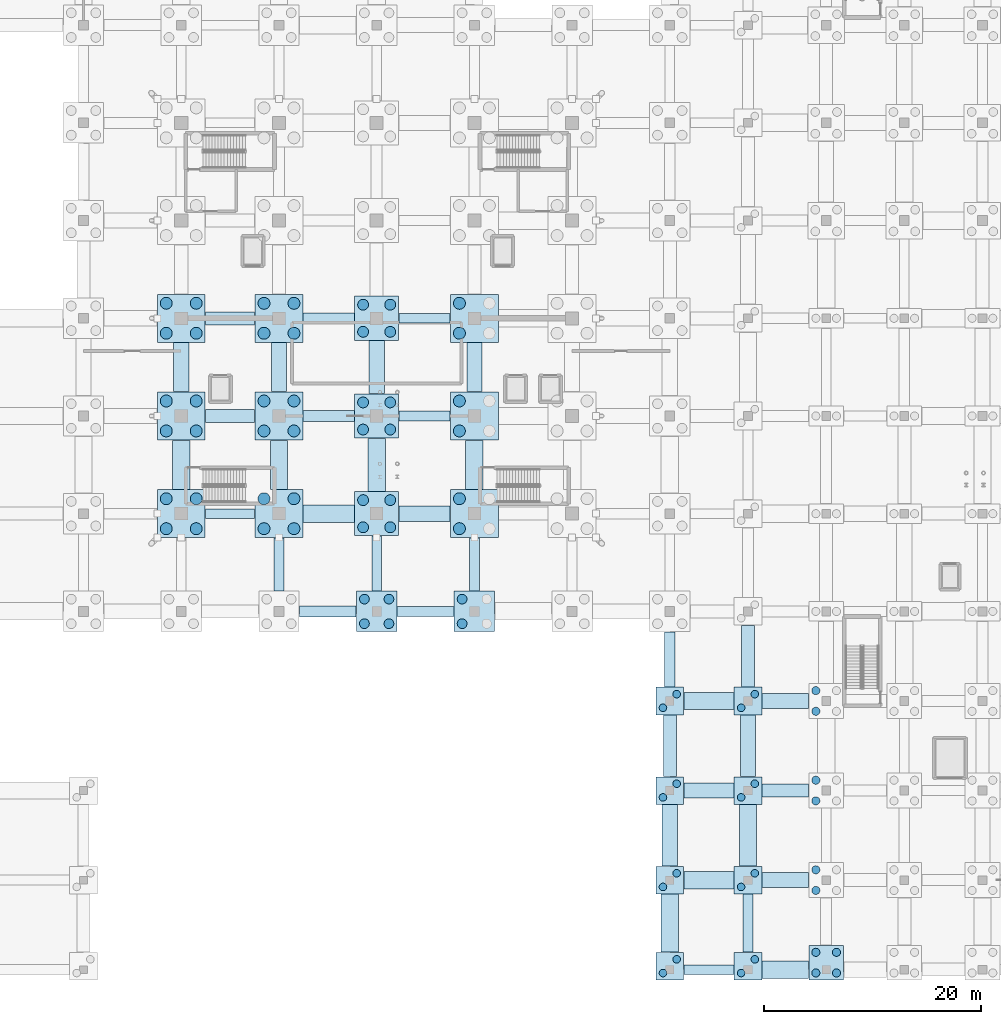
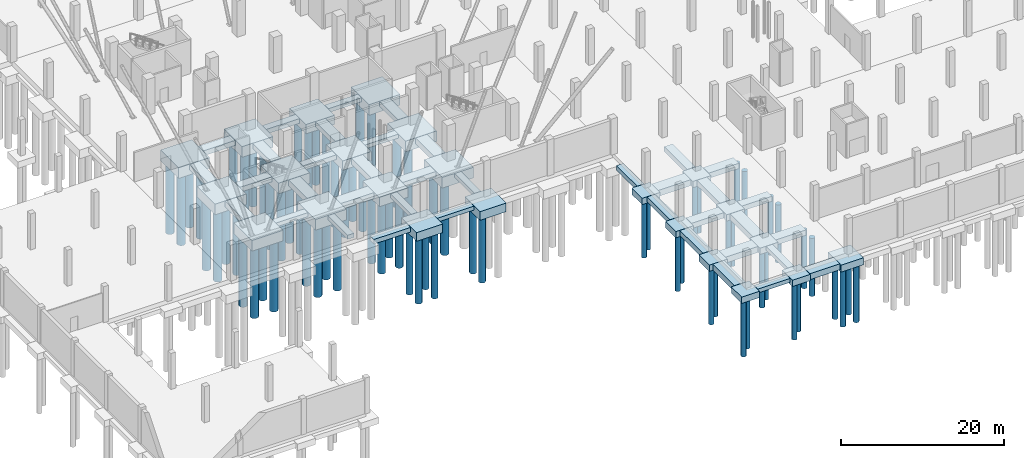
# One storey, part 2 of 42: 74 piles, 61 footings.
"""IFC4 building model written with IfcOpenShell, lengths in metres."""

from ifc_helpers import new_model, si_unit, direction, frame, origin, origin_2d, place, context, subcontext, project, spatial, rectangle, circle, extrude, material, material_profile, profile_set, type_object, element, save


model = new_model("IFC4")

# Units and contexts
model_context = context("Model", 3, precision=1e-05, world=origin(), true_north=direction((0.0, 1.0)))
body_context = subcontext(model_context, "Body", "Model", "MODEL_VIEW")
ifc_project = project(units=[si_unit("LENGTHUNIT", "METRE"), si_unit("AREAUNIT", "SQUARE_METRE"), si_unit("VOLUMEUNIT", "CUBIC_METRE"), si_unit("PLANEANGLEUNIT", "RADIAN"), si_unit("MASSUNIT", "GRAM", prefix="KILO")], contexts=[model_context])

# Site, building, storey
site_placement = place(None, origin())
site = spatial("IfcSite", under=ifc_project, at=site_placement, CompositionType="ELEMENT")
building_placement = place(site_placement, origin())
building = spatial("IfcBuilding", under=site, at=building_placement, Name="Sundgate Opera House", CompositionType="ELEMENT")
storey_placement = place(building_placement, frame((0.0, 0.0, -5.39990234375)))
storey = spatial("IfcBuildingStorey", under=building, at=storey_placement, Name="B01", CompositionType="ELEMENT", Elevation=-5.39990234375)

# Footings
ifc_material_1 = material(Name="Concrete C40/50", Category="concrete")
footing_type_1 = type_object("IfcFootingType", Name="FT-PC-2540x2540x950", PredefinedType="PILE_CAP", material=ifc_material_1)
for number, where, z_axis, x_axis, name in (
    (1, (81.0, 0.320068359375, -1.60009765625), (0.0, 0.0, 1.0), (1.0, 0.0, 0.0), "Pile Cap F0114"),
    (2, (81.0, 8.25, -1.60009765625), (0.0, 0.0, 1.0), (1.0, 0.0, 0.0), "Pile Cap F0115"),
    (3, (81.0, 16.5, -1.60009765625), (0.0, 0.0, 1.0), (1.0, 0.0, 0.0), "Pile Cap F0116"),
    (4, (81.0, 24.75, -1.60009765625), (0.0, 0.0, 1.0), (1.0, 0.0, 0.0), "Pile Cap F0117"),
    (5, (88.199951171875, 0.320068359375, -1.60009765625), (0.0, 0.0, 1.0), (1.0, 0.0, 0.0), "Pile Cap F0129"),
    (6, (88.199951171875, 8.25, -1.60009765625), (0.0, 0.0, 1.0), (1.0, 0.0, 0.0), "Pile Cap F0130"),
    (7, (88.199951171875, 16.5, -1.60009765625), (0.0, 0.0, 1.0), (1.0, 0.0, 0.0), "Pile Cap F0131"),
    (8, (88.199951171875, 24.75, -1.60009765625), (0.0, 0.0, 1.0), (1.0, 0.0, 0.0), "Pile Cap F0132"),
):
    element("IfcFooting", number, at=place(storey_placement, frame(where, z_axis=z_axis, x_axis=x_axis)), inside=storey, type_object=footing_type_1, Name=name, PredefinedType="PILE_CAP", context=body_context, shape_type="SweptSolid", body=[
        extrude(rectangle(XDim=2.5400390625, YDim=2.5400390625, at=origin_2d()), origin(), (0.0, 0.0, 1.0), 0.949951171875),
    ])
ifc_material_2 = material(Name="Concrete C40/50", Category="concrete")
footing_type_2 = type_object("IfcFootingType", Name="FT-PC-3200x3200x1050", PredefinedType="PILE_CAP", material=ifc_material_2)
footing_1_placement = place(storey_placement, frame((95.39990234375, 0.64990234375, -1.85009765625), z_axis=(0.0, 0.0, 1.0), x_axis=(1.0, 0.0, 0.0)))
element("IfcFooting", 9, at=footing_1_placement, inside=storey, type_object=footing_type_2, Name="Pile Cap F0144", PredefinedType="PILE_CAP", context=body_context, shape_type="SweptSolid", body=[
    extrude(rectangle(XDim=3.199951171875, YDim=3.199951171875, at=origin_2d()), origin(), (0.0, 0.0, 1.0), 1.050048828125),
])
ifc_material_3 = material(Name="Concrete C40/50", Category="concrete")
footing_type_3 = type_object("IfcFootingType", Name="FT-PC-3720x3720x1300", PredefinedType="PILE_CAP", material=ifc_material_3)
for number, where, z_axis, x_axis, name in (
    (10, (54.0, 33.0, -2.10009765625), (0.0, 0.0, 1.0), (1.0, 0.0, 0.0), "Pile Cap F0081"),
    (11, (63.0, 33.0, -2.10009765625), (0.0, 0.0, 1.0), (1.0, 0.0, 0.0), "Pile Cap F0092"),
):
    element("IfcFooting", number, at=place(storey_placement, frame(where, z_axis=z_axis, x_axis=x_axis)), inside=storey, type_object=footing_type_3, Name=name, PredefinedType="PILE_CAP", context=body_context, shape_type="SweptSolid", body=[
        extrude(rectangle(XDim=3.719970703125, YDim=3.719970703125, at=origin_2d()), origin(), (0.0, 0.0, 1.0), 1.300048828125),
    ])
ifc_material_4 = material(Name="Concrete C40/50", Category="concrete")
footing_type_4 = type_object("IfcFootingType", Name="FT-PC-4060x4060x1400", PredefinedType="PILE_CAP", material=ifc_material_4)
for number, where, z_axis, x_axis, name in (
    (12, (54.0, 42.0, -2.199951171875), (0.0, 0.0, 1.0), (1.0, 0.0, 0.0), "Pile Cap F0082"),
    (13, (54.0, 51.0, -2.199951171875), (0.0, 0.0, 1.0), (1.0, 0.0, 0.0), "Pile Cap F0083"),
    (14, (54.0, 60.0, -2.199951171875), (0.0, 0.0, 1.0), (1.0, 0.0, 0.0), "Pile Cap F0084"),
):
    element("IfcFooting", number, at=place(storey_placement, frame(where, z_axis=z_axis, x_axis=x_axis)), inside=storey, type_object=footing_type_4, Name=name, PredefinedType="PILE_CAP", context=body_context, shape_type="SweptSolid", body=[
        extrude(rectangle(XDim=4.06005859375, YDim=4.06005859375, at=origin_2d()), origin(), (0.0, 0.0, 1.0), 1.39990234375),
    ])
ifc_material_5 = material(Name="Concrete C40/50", Category="concrete")
footing_type_5 = type_object("IfcFootingType", Name="FT-PC-4420x4420x1600", PredefinedType="PILE_CAP", material=ifc_material_5)
for number, where, z_axis, x_axis, name in (
    (15, (36.0, 42.0, -2.400146484375), (0.0, 0.0, 1.0), (1.0, 0.0, 0.0), "Pile Cap F0060"),
    (16, (36.0, 51.0, -2.400146484375), (0.0, 0.0, 1.0), (1.0, 0.0, 0.0), "Pile Cap F0061"),
    (17, (36.0, 60.0, -2.400146484375), (0.0, 0.0, 1.0), (1.0, 0.0, 0.0), "Pile Cap F0062"),
    (18, (45.0, 42.0, -2.400146484375), (0.0, 0.0, 1.0), (1.0, 0.0, 0.0), "Pile Cap F0071"),
    (19, (45.0, 51.0, -2.400146484375), (0.0, 0.0, 1.0), (1.0, 0.0, 0.0), "Pile Cap F0072"),
    (20, (45.0, 60.0, -2.400146484375), (0.0, 0.0, 1.0), (1.0, 0.0, 0.0), "Pile Cap F0073"),
    (21, (63.0, 42.0, -2.400146484375), (0.0, 0.0, 1.0), (1.0, 0.0, 0.0), "Pile Cap F0093"),
    (22, (63.0, 51.0, -2.400146484375), (0.0, 0.0, 1.0), (1.0, 0.0, 0.0), "Pile Cap F0094"),
    (23, (63.0, 60.0, -2.400146484375), (0.0, 0.0, 1.0), (1.0, 0.0, 0.0), "Pile Cap F0095"),
):
    element("IfcFooting", number, at=place(storey_placement, frame(where, z_axis=z_axis, x_axis=x_axis)), inside=storey, type_object=footing_type_5, Name=name, PredefinedType="PILE_CAP", context=body_context, shape_type="SweptSolid", body=[
        extrude(rectangle(XDim=4.419921875, YDim=4.419921875, at=origin_2d()), origin(), (0.0, 0.0, 1.0), 1.60009765625),
    ])
ifc_material_6 = material(Name="Concrete C35/45", Category="concrete")
footing_type_6 = type_object("IfcFootingType", Name="FT-STR-1000x700", PredefinedType="STRIP_FOOTING", material=ifc_material_6)
footing_2_placement = place(storey_placement, frame((81.0, 28.580078125, -1.35009765625), z_axis=(0.0, 0.0, 1.0), x_axis=(1.0, 0.0, 0.0)))
element("IfcFooting", 24, at=footing_2_placement, inside=storey, type_object=footing_type_6, Name="Strip Footing F0397", PredefinedType="STRIP_FOOTING", context=body_context, shape_type="SweptSolid", body=[
    extrude(rectangle(XDim=1.0, YDim=5.070068359375, at=origin_2d()), origin(), (0.0, 0.0, 1.0), 0.699951171875),
])
footing_3_placement = place(storey_placement, frame((49.5, 33.0, -1.5), z_axis=(0.0, 0.0, 1.0), x_axis=(1.0, 0.0, 0.0)))
element("IfcFooting", 25, at=footing_3_placement, inside=storey, type_object=footing_type_6, Name="Strip Footing F0607", PredefinedType="STRIP_FOOTING", context=body_context, shape_type="SweptSolid", body=[
    extrude(rectangle(XDim=5.22998046875, YDim=1.0, at=origin_2d()), origin(), (0.0, 0.0, 1.0), 0.699951171875),
])
for number, where, z_axis, x_axis, name in (
    (26, (49.590087890625, 51.0, -1.5), (0.0, 0.0, 1.0), (1.0, 0.0, 0.0), "Strip Footing F0647"),
    (27, (49.590087890625, 60.0, -1.5), (0.0, 0.0, 1.0), (1.0, 0.0, 0.0), "Strip Footing F0662"),
):
    element("IfcFooting", number, at=place(storey_placement, frame(where, z_axis=z_axis, x_axis=x_axis)), inside=storey, type_object=footing_type_6, Name=name, PredefinedType="STRIP_FOOTING", context=body_context, shape_type="SweptSolid", body=[
        extrude(rectangle(XDim=4.7099609375, YDim=1.0, at=origin_2d()), origin(), (0.0, 0.0, 1.0), 0.699951171875),
    ])
ifc_material_7 = material(Name="Concrete C35/45", Category="concrete")
footing_type_7 = type_object("IfcFootingType", Name="FT-STR-1200x750", PredefinedType="STRIP_FOOTING", material=ifc_material_7)
for number, where, z_axis, x_axis, name in (
    (28, (81.0, 20.625, -1.400146484375), (0.0, 0.0, 1.0), (1.0, 0.0, 0.0), "Strip Footing F0396"),
    (29, (88.199951171875, 28.875, -1.400146484375), (0.0, 0.0, 1.0), (1.0, 0.0, 0.0), "Strip Footing F0411"),
):
    element("IfcFooting", number, at=place(storey_placement, frame(where, z_axis=z_axis, x_axis=x_axis)), inside=storey, type_object=footing_type_7, Name=name, PredefinedType="STRIP_FOOTING", context=body_context, shape_type="SweptSolid", body=[
        extrude(rectangle(XDim=1.199951171875, YDim=5.659912109375, at=origin_2d()), origin(), (0.0, 0.0, 1.0), 0.75),
    ])
footing_4_placement = place(storey_placement, frame((91.635009765625, 16.5, -1.400146484375), z_axis=(0.0, 0.0, 1.0), x_axis=(1.0, 0.0, 0.0)))
element("IfcFooting", 30, at=footing_4_placement, inside=storey, type_object=footing_type_7, Name="Strip Footing F0576", PredefinedType="STRIP_FOOTING", context=body_context, shape_type="SweptSolid", body=[
    extrude(rectangle(XDim=4.280029296875, YDim=1.199951171875, at=origin_2d()), origin(), (0.0, 0.0, 1.0), 0.75),
])
for number, where, z_axis, x_axis, name in (
    (31, (40.5, 51.0, -1.550048828125), (0.0, 0.0, 1.0), (1.0, 0.0, 0.0), "Strip Footing F0646"),
    (32, (40.5, 60.0, -1.550048828125), (0.0, 0.0, 1.0), (1.0, 0.0, 0.0), "Strip Footing F0661"),
):
    element("IfcFooting", number, at=place(storey_placement, frame(where, z_axis=z_axis, x_axis=x_axis)), inside=storey, type_object=footing_type_7, Name=name, PredefinedType="STRIP_FOOTING", context=body_context, shape_type="SweptSolid", body=[
        extrude(rectangle(XDim=4.530029296875, YDim=1.199951171875, at=origin_2d()), origin(), (0.0, 0.0, 1.0), 0.75),
    ])
ifc_material_8 = material(Name="Concrete C35/45", Category="concrete")
footing_type_8 = type_object("IfcFootingType", Name="FT-STR-1400x800", PredefinedType="STRIP_FOOTING", material=ifc_material_8)
for number, where, z_axis, x_axis, name in (
    (33, (36.0, 55.5, -1.60009765625), (0.0, 0.0, 1.0), (1.0, 0.0, 0.0), "Strip Footing F0350"),
    (34, (45.0, 55.5, -1.60009765625), (0.0, 0.0, 1.0), (1.0, 0.0, 0.0), "Strip Footing F0360"),
):
    element("IfcFooting", number, at=place(storey_placement, frame(where, z_axis=z_axis, x_axis=x_axis)), inside=storey, type_object=footing_type_8, Name=name, PredefinedType="STRIP_FOOTING", context=body_context, shape_type="SweptSolid", body=[
        extrude(rectangle(XDim=1.39990234375, YDim=4.530029296875, at=origin_2d()), origin(), (0.0, 0.0, 1.0), 0.800048828125),
    ])
footing_5_placement = place(storey_placement, frame((54.0, 55.5, -1.60009765625), z_axis=(0.0, 0.0, 1.0), x_axis=(1.0, 0.0, 0.0)))
element("IfcFooting", 35, at=footing_5_placement, inside=storey, type_object=footing_type_8, Name="Strip Footing F0370", PredefinedType="STRIP_FOOTING", context=body_context, shape_type="SweptSolid", body=[
    extrude(rectangle(XDim=1.39990234375, YDim=4.889892578125, at=origin_2d()), origin(), (0.0, 0.0, 1.0), 0.800048828125),
])
footing_6_placement = place(storey_placement, frame((63.0, 55.5, -1.60009765625), z_axis=(0.0, 0.0, 1.0), x_axis=(1.0, 0.0, 0.0)))
element("IfcFooting", 36, at=footing_6_placement, inside=storey, type_object=footing_type_8, Name="Strip Footing F0380", PredefinedType="STRIP_FOOTING", context=body_context, shape_type="SweptSolid", body=[
    extrude(rectangle(XDim=1.39990234375, YDim=4.530029296875, at=origin_2d()), origin(), (0.0, 0.0, 1.0), 0.800048828125),
])
for number, where, z_axis, x_axis, name in (
    (37, (81.0, 12.375, -1.4501953125), (0.0, 0.0, 1.0), (1.0, 0.0, 0.0), "Strip Footing F0395"),
    (38, (88.199951171875, 20.625, -1.4501953125), (0.0, 0.0, 1.0), (1.0, 0.0, 0.0), "Strip Footing F0410"),
):
    element("IfcFooting", number, at=place(storey_placement, frame(where, z_axis=z_axis, x_axis=x_axis)), inside=storey, type_object=footing_type_8, Name=name, PredefinedType="STRIP_FOOTING", context=body_context, shape_type="SweptSolid", body=[
        extrude(rectangle(XDim=1.39990234375, YDim=5.659912109375, at=origin_2d()), origin(), (0.0, 0.0, 1.0), 0.800048828125),
    ])
footing_7_placement = place(storey_placement, frame((91.635009765625, 8.25, -1.4501953125), z_axis=(0.0, 0.0, 1.0), x_axis=(1.0, 0.0, 0.0)))
element("IfcFooting", 39, at=footing_7_placement, inside=storey, type_object=footing_type_8, Name="Strip Footing F0560", PredefinedType="STRIP_FOOTING", context=body_context, shape_type="SweptSolid", body=[
    extrude(rectangle(XDim=4.280029296875, YDim=1.39990234375, at=origin_2d()), origin(), (0.0, 0.0, 1.0), 0.800048828125),
])
footing_8_placement = place(storey_placement, frame((84.60009765625, 16.5, -1.4501953125), z_axis=(0.0, 0.0, 1.0), x_axis=(1.0, 0.0, 0.0)))
element("IfcFooting", 40, at=footing_8_placement, inside=storey, type_object=footing_type_8, Name="Strip Footing F0575", PredefinedType="STRIP_FOOTING", context=body_context, shape_type="SweptSolid", body=[
    extrude(rectangle(XDim=4.610107421875, YDim=1.39990234375, at=origin_2d()), origin(), (0.0, 0.0, 1.0), 0.800048828125),
])
footing_9_placement = place(storey_placement, frame((91.635009765625, 24.75, -1.4501953125), z_axis=(0.0, 0.0, 1.0), x_axis=(1.0, 0.0, 0.0)))
element("IfcFooting", 41, at=footing_9_placement, inside=storey, type_object=footing_type_8, Name="Strip Footing F0590", PredefinedType="STRIP_FOOTING", context=body_context, shape_type="SweptSolid", body=[
    extrude(rectangle(XDim=4.280029296875, YDim=1.39990234375, at=origin_2d()), origin(), (0.0, 0.0, 1.0), 0.800048828125),
])
footing_10_placement = place(storey_placement, frame((58.409912109375, 42.0, -1.60009765625), z_axis=(0.0, 0.0, 1.0), x_axis=(1.0, 0.0, 0.0)))
element("IfcFooting", 42, at=footing_10_placement, inside=storey, type_object=footing_type_8, Name="Strip Footing F0630", PredefinedType="STRIP_FOOTING", context=body_context, shape_type="SweptSolid", body=[
    extrude(rectangle(XDim=4.7099609375, YDim=1.39990234375, at=origin_2d()), origin(), (0.0, 0.0, 1.0), 0.800048828125),
])
ifc_material_9 = material(Name="Concrete C35/45", Category="concrete")
footing_type_9 = type_object("IfcFootingType", Name="FT-STR-1600x900", PredefinedType="STRIP_FOOTING", material=ifc_material_9)
for number, where, z_axis, x_axis, name in (
    (43, (36.0, 46.5, -1.699951171875), (0.0, 0.0, 1.0), (1.0, 0.0, 0.0), "Strip Footing F0349"),
    (44, (45.0, 46.5, -1.699951171875), (0.0, 0.0, 1.0), (1.0, 0.0, 0.0), "Strip Footing F0359"),
):
    element("IfcFooting", number, at=place(storey_placement, frame(where, z_axis=z_axis, x_axis=x_axis)), inside=storey, type_object=footing_type_9, Name=name, PredefinedType="STRIP_FOOTING", context=body_context, shape_type="SweptSolid", body=[
        extrude(rectangle(XDim=1.60009765625, YDim=4.530029296875, at=origin_2d()), origin(), (0.0, 0.0, 1.0), 0.89990234375),
    ])
footing_11_placement = place(storey_placement, frame((54.0, 46.5, -1.699951171875), z_axis=(0.0, 0.0, 1.0), x_axis=(1.0, 0.0, 0.0)))
element("IfcFooting", 45, at=footing_11_placement, inside=storey, type_object=footing_type_9, Name="Strip Footing F0369", PredefinedType="STRIP_FOOTING", context=body_context, shape_type="SweptSolid", body=[
    extrude(rectangle(XDim=1.60009765625, YDim=4.889892578125, at=origin_2d()), origin(), (0.0, 0.0, 1.0), 0.89990234375),
])
footing_12_placement = place(storey_placement, frame((63.0, 46.5, -1.699951171875), z_axis=(0.0, 0.0, 1.0), x_axis=(1.0, 0.0, 0.0)))
element("IfcFooting", 46, at=footing_12_placement, inside=storey, type_object=footing_type_9, Name="Strip Footing F0379", PredefinedType="STRIP_FOOTING", context=body_context, shape_type="SweptSolid", body=[
    extrude(rectangle(XDim=1.60009765625, YDim=4.530029296875, at=origin_2d()), origin(), (0.0, 0.0, 1.0), 0.89990234375),
])
footing_13_placement = place(storey_placement, frame((81.0, 4.284912109375, -1.550048828125), z_axis=(0.0, 0.0, 1.0), x_axis=(1.0, 0.0, 0.0)))
element("IfcFooting", 47, at=footing_13_placement, inside=storey, type_object=footing_type_9, Name="Strip Footing F0394", PredefinedType="STRIP_FOOTING", context=body_context, shape_type="SweptSolid", body=[
    extrude(rectangle(XDim=1.60009765625, YDim=5.340087890625, at=origin_2d()), origin(), (0.0, 0.0, 1.0), 0.89990234375),
])
footing_14_placement = place(storey_placement, frame((88.199951171875, 12.375, -1.550048828125), z_axis=(0.0, 0.0, 1.0), x_axis=(1.0, 0.0, 0.0)))
element("IfcFooting", 48, at=footing_14_placement, inside=storey, type_object=footing_type_9, Name="Strip Footing F0409", PredefinedType="STRIP_FOOTING", context=body_context, shape_type="SweptSolid", body=[
    extrude(rectangle(XDim=1.60009765625, YDim=5.659912109375, at=origin_2d()), origin(), (0.0, 0.0, 1.0), 0.89990234375),
])
footing_15_placement = place(storey_placement, frame((91.635009765625, 0.0, -1.550048828125), z_axis=(0.0, 0.0, 1.0), x_axis=(1.0, 0.0, 0.0)))
element("IfcFooting", 49, at=footing_15_placement, inside=storey, type_object=footing_type_9, Name="Strip Footing F0544", PredefinedType="STRIP_FOOTING", context=body_context, shape_type="SweptSolid", body=[
    extrude(rectangle(XDim=4.280029296875, YDim=1.60009765625, at=origin_2d()), origin(), (0.0, 0.0, 1.0), 0.89990234375),
])
for number, where, z_axis, x_axis, name in (
    (50, (84.60009765625, 8.25, -1.550048828125), (0.0, 0.0, 1.0), (1.0, 0.0, 0.0), "Strip Footing F0559"),
    (51, (84.60009765625, 24.75, -1.550048828125), (0.0, 0.0, 1.0), (1.0, 0.0, 0.0), "Strip Footing F0589"),
):
    element("IfcFooting", number, at=place(storey_placement, frame(where, z_axis=z_axis, x_axis=x_axis)), inside=storey, type_object=footing_type_9, Name=name, PredefinedType="STRIP_FOOTING", context=body_context, shape_type="SweptSolid", body=[
        extrude(rectangle(XDim=4.610107421875, YDim=1.60009765625, at=origin_2d()), origin(), (0.0, 0.0, 1.0), 0.89990234375),
    ])
footing_16_placement = place(storey_placement, frame((49.590087890625, 42.0, -1.699951171875), z_axis=(0.0, 0.0, 1.0), x_axis=(1.0, 0.0, 0.0)))
element("IfcFooting", 52, at=footing_16_placement, inside=storey, type_object=footing_type_9, Name="Strip Footing F0629", PredefinedType="STRIP_FOOTING", context=body_context, shape_type="SweptSolid", body=[
    extrude(rectangle(XDim=4.7099609375, YDim=1.60009765625, at=origin_2d()), origin(), (0.0, 0.0, 1.0), 0.89990234375),
])
ifc_material_10 = material(Name="Concrete C35/45", Category="concrete")
footing_type_10 = type_object("IfcFootingType", Name="FT-STR-900x600", PredefinedType="STRIP_FOOTING", material=ifc_material_10)
footing_17_placement = place(storey_placement, frame((45.0, 37.324951171875, -1.400146484375), z_axis=(0.0, 0.0, 1.0), x_axis=(1.0, 0.0, 0.0)))
element("IfcFooting", 53, at=footing_17_placement, inside=storey, type_object=footing_type_10, Name="Strip Footing F0358", PredefinedType="STRIP_FOOTING", context=body_context, shape_type="SweptSolid", body=[
    extrude(rectangle(XDim=0.89990234375, YDim=4.8798828125, at=origin_2d()), origin(), (0.0, 0.0, 1.0), 0.60009765625),
])
footing_18_placement = place(storey_placement, frame((54.0, 37.4150390625, -1.400146484375), z_axis=(0.0, 0.0, 1.0), x_axis=(1.0, 0.0, 0.0)))
element("IfcFooting", 54, at=footing_18_placement, inside=storey, type_object=footing_type_10, Name="Strip Footing F0368", PredefinedType="STRIP_FOOTING", context=body_context, shape_type="SweptSolid", body=[
    extrude(rectangle(XDim=0.89990234375, YDim=5.06005859375, at=origin_2d()), origin(), (0.0, 0.0, 1.0), 0.60009765625),
])
footing_19_placement = place(storey_placement, frame((63.0, 37.324951171875, -1.400146484375), z_axis=(0.0, 0.0, 1.0), x_axis=(1.0, 0.0, 0.0)))
element("IfcFooting", 55, at=footing_19_placement, inside=storey, type_object=footing_type_10, Name="Strip Footing F0378", PredefinedType="STRIP_FOOTING", context=body_context, shape_type="SweptSolid", body=[
    extrude(rectangle(XDim=0.89990234375, YDim=4.8798828125, at=origin_2d()), origin(), (0.0, 0.0, 1.0), 0.60009765625),
])
footing_20_placement = place(storey_placement, frame((88.199951171875, 4.284912109375, -1.250244140625), z_axis=(0.0, 0.0, 1.0), x_axis=(1.0, 0.0, 0.0)))
element("IfcFooting", 56, at=footing_20_placement, inside=storey, type_object=footing_type_10, Name="Strip Footing F0408", PredefinedType="STRIP_FOOTING", context=body_context, shape_type="SweptSolid", body=[
    extrude(rectangle(XDim=0.89990234375, YDim=5.340087890625, at=origin_2d()), origin(), (0.0, 0.0, 1.0), 0.60009765625),
])
footing_21_placement = place(storey_placement, frame((84.60009765625, 0.0, -1.250244140625), z_axis=(0.0, 0.0, 1.0), x_axis=(1.0, 0.0, 0.0)))
element("IfcFooting", 57, at=footing_21_placement, inside=storey, type_object=footing_type_10, Name="Strip Footing F0543", PredefinedType="STRIP_FOOTING", context=body_context, shape_type="SweptSolid", body=[
    extrude(rectangle(XDim=4.610107421875, YDim=0.89990234375, at=origin_2d()), origin(), (0.0, 0.0, 1.0), 0.60009765625),
])
footing_22_placement = place(storey_placement, frame((58.5, 33.0, -1.400146484375), z_axis=(0.0, 0.0, 1.0), x_axis=(1.0, 0.0, 0.0)))
element("IfcFooting", 58, at=footing_22_placement, inside=storey, type_object=footing_type_10, Name="Strip Footing F0608", PredefinedType="STRIP_FOOTING", context=body_context, shape_type="SweptSolid", body=[
    extrude(rectangle(XDim=5.22998046875, YDim=0.89990234375, at=origin_2d()), origin(), (0.0, 0.0, 1.0), 0.60009765625),
])
footing_23_placement = place(storey_placement, frame((40.5, 42.0, -1.400146484375), z_axis=(0.0, 0.0, 1.0), x_axis=(1.0, 0.0, 0.0)))
element("IfcFooting", 59, at=footing_23_placement, inside=storey, type_object=footing_type_10, Name="Strip Footing F0628", PredefinedType="STRIP_FOOTING", context=body_context, shape_type="SweptSolid", body=[
    extrude(rectangle(XDim=4.530029296875, YDim=0.89990234375, at=origin_2d()), origin(), (0.0, 0.0, 1.0), 0.60009765625),
])
for number, where, z_axis, x_axis, name in (
    (60, (58.409912109375, 51.0, -1.400146484375), (0.0, 0.0, 1.0), (1.0, 0.0, 0.0), "Strip Footing F0648"),
    (61, (58.409912109375, 60.0, -1.400146484375), (0.0, 0.0, 1.0), (1.0, 0.0, 0.0), "Strip Footing F0663"),
):
    element("IfcFooting", number, at=place(storey_placement, frame(where, z_axis=z_axis, x_axis=x_axis)), inside=storey, type_object=footing_type_10, Name=name, PredefinedType="STRIP_FOOTING", context=body_context, shape_type="SweptSolid", body=[
        extrude(rectangle(XDim=4.7099609375, YDim=0.89990234375, at=origin_2d()), origin(), (0.0, 0.0, 1.0), 0.60009765625),
    ])

# Piles
ifc_material_11 = material(Name="Concrete C40/50", Category="concrete")
ifc_material_profile_1 = material_profile(ifc_material_11, circle(Radius=0.5, at=origin_2d()), Name="PILE D1000")
ifc_profile_set_1 = profile_set([ifc_material_profile_1], Name="Concrete C40/50")
pile_type_1 = type_object("IfcPileType", Name="PL-1000", PredefinedType="BORED", material=ifc_profile_set_1)
for number, where, z_axis, x_axis, name in (
    (62, (52.75, 40.75, -2.10009765625), (0.0, 0.0, -1.0), (1.0, 0.0, 0.0), "Rock-Socketed Pile P0207"),
    (63, (52.75, 43.25, -2.10009765625), (0.0, 0.0, -1.0), (1.0, 0.0, 0.0), "Rock-Socketed Pile P0208"),
    (64, (55.25, 40.75, -2.10009765625), (0.0, 0.0, -1.0), (1.0, 0.0, 0.0), "Rock-Socketed Pile P0209"),
    (65, (55.25, 43.25, -2.10009765625), (0.0, 0.0, -1.0), (1.0, 0.0, 0.0), "Rock-Socketed Pile P0210"),
    (66, (52.75, 49.75, -2.10009765625), (0.0, 0.0, -1.0), (1.0, 0.0, 0.0), "Rock-Socketed Pile P0211"),
    (67, (52.75, 52.25, -2.10009765625), (0.0, 0.0, -1.0), (1.0, 0.0, 0.0), "Rock-Socketed Pile P0212"),
    (68, (55.25, 49.75, -2.10009765625), (0.0, 0.0, -1.0), (1.0, 0.0, 0.0), "Rock-Socketed Pile P0213"),
    (69, (55.25, 52.25, -2.10009765625), (0.0, 0.0, -1.0), (1.0, 0.0, 0.0), "Rock-Socketed Pile P0214"),
    (70, (52.75, 58.75, -2.10009765625), (0.0, 0.0, -1.0), (1.0, 0.0, 0.0), "Rock-Socketed Pile P0215"),
    (71, (52.75, 61.25, -2.10009765625), (0.0, 0.0, -1.0), (1.0, 0.0, 0.0), "Rock-Socketed Pile P0216"),
    (72, (55.25, 58.75, -2.10009765625), (0.0, 0.0, -1.0), (1.0, 0.0, 0.0), "Rock-Socketed Pile P0217"),
    (73, (55.25, 61.25, -2.10009765625), (0.0, 0.0, -1.0), (1.0, 0.0, 0.0), "Rock-Socketed Pile P0218"),
):
    element("IfcPile", number, at=place(storey_placement, frame(where, z_axis=z_axis, x_axis=x_axis)), inside=storey, type_object=pile_type_1, Name=name, PredefinedType="BORED", context=body_context, shape_type="SweptSolid", body=[
        extrude(circle(Radius=0.5, at=origin_2d()), origin(), (0.0, 0.0, 1.0), 10.60009765625),
    ])
ifc_material_12 = material(Name="Concrete C40/50", Category="concrete")
ifc_material_profile_2 = material_profile(ifc_material_12, circle(Radius=0.550048828125, at=origin_2d()), Name="PILE D1100")
ifc_profile_set_2 = profile_set([ifc_material_profile_2], Name="Concrete C40/50")
pile_type_2 = type_object("IfcPileType", Name="PL-1100", PredefinedType="BORED", material=ifc_profile_set_2)
for number, where, z_axis, x_axis, name in (
    (74, (34.6201171875, 40.6201171875, -2.300048828125), (0.0, 0.0, -1.0), (1.0, 0.0, 0.0), "Rock-Socketed Pile P0135"),
    (75, (34.6201171875, 43.3798828125, -2.300048828125), (0.0, 0.0, -1.0), (1.0, 0.0, 0.0), "Rock-Socketed Pile P0136"),
    (76, (37.3798828125, 40.6201171875, -2.300048828125), (0.0, 0.0, -1.0), (1.0, 0.0, 0.0), "Rock-Socketed Pile P0137"),
    (77, (37.3798828125, 43.3798828125, -2.300048828125), (0.0, 0.0, -1.0), (1.0, 0.0, 0.0), "Rock-Socketed Pile P0138"),
    (78, (34.6201171875, 49.6201171875, -2.300048828125), (0.0, 0.0, -1.0), (1.0, 0.0, 0.0), "Rock-Socketed Pile P0139"),
    (79, (34.6201171875, 52.3798828125, -2.300048828125), (0.0, 0.0, -1.0), (1.0, 0.0, 0.0), "Rock-Socketed Pile P0140"),
    (80, (37.3798828125, 49.6201171875, -2.300048828125), (0.0, 0.0, -1.0), (1.0, 0.0, 0.0), "Rock-Socketed Pile P0141"),
    (81, (37.3798828125, 52.3798828125, -2.300048828125), (0.0, 0.0, -1.0), (1.0, 0.0, 0.0), "Rock-Socketed Pile P0142"),
    (82, (34.6201171875, 58.6201171875, -2.300048828125), (0.0, 0.0, -1.0), (1.0, 0.0, 0.0), "Rock-Socketed Pile P0143"),
    (83, (34.6201171875, 61.3798828125, -2.300048828125), (0.0, 0.0, -1.0), (1.0, 0.0, 0.0), "Rock-Socketed Pile P0144"),
    (84, (37.3798828125, 58.6201171875, -2.300048828125), (0.0, 0.0, -1.0), (1.0, 0.0, 0.0), "Rock-Socketed Pile P0145"),
    (85, (37.3798828125, 61.3798828125, -2.300048828125), (0.0, 0.0, -1.0), (1.0, 0.0, 0.0), "Rock-Socketed Pile P0146"),
    (86, (43.6201171875, 40.6201171875, -2.300048828125), (0.0, 0.0, -1.0), (1.0, 0.0, 0.0), "Rock-Socketed Pile P0171"),
    (87, (43.6201171875, 43.3798828125, -2.300048828125), (0.0, 0.0, -1.0), (1.0, 0.0, 0.0), "Rock-Socketed Pile P0172"),
    (88, (46.3798828125, 40.6201171875, -2.300048828125), (0.0, 0.0, -1.0), (1.0, 0.0, 0.0), "Rock-Socketed Pile P0173"),
    (89, (46.3798828125, 43.3798828125, -2.300048828125), (0.0, 0.0, -1.0), (1.0, 0.0, 0.0), "Rock-Socketed Pile P0174"),
    (90, (43.6201171875, 49.6201171875, -2.300048828125), (0.0, 0.0, -1.0), (1.0, 0.0, 0.0), "Rock-Socketed Pile P0175"),
    (91, (43.6201171875, 52.3798828125, -2.300048828125), (0.0, 0.0, -1.0), (1.0, 0.0, 0.0), "Rock-Socketed Pile P0176"),
    (92, (46.3798828125, 49.6201171875, -2.300048828125), (0.0, 0.0, -1.0), (1.0, 0.0, 0.0), "Rock-Socketed Pile P0177"),
    (93, (46.3798828125, 52.3798828125, -2.300048828125), (0.0, 0.0, -1.0), (1.0, 0.0, 0.0), "Rock-Socketed Pile P0178"),
    (94, (43.6201171875, 58.6201171875, -2.300048828125), (0.0, 0.0, -1.0), (1.0, 0.0, 0.0), "Rock-Socketed Pile P0179"),
    (95, (43.6201171875, 61.3798828125, -2.300048828125), (0.0, 0.0, -1.0), (1.0, 0.0, 0.0), "Rock-Socketed Pile P0180"),
    (96, (46.3798828125, 58.6201171875, -2.300048828125), (0.0, 0.0, -1.0), (1.0, 0.0, 0.0), "Rock-Socketed Pile P0181"),
    (97, (46.3798828125, 61.3798828125, -2.300048828125), (0.0, 0.0, -1.0), (1.0, 0.0, 0.0), "Rock-Socketed Pile P0182"),
    (98, (61.6201171875, 40.6201171875, -2.300048828125), (0.0, 0.0, -1.0), (1.0, 0.0, 0.0), "Rock-Socketed Pile P0243"),
    (99, (61.6201171875, 43.3798828125, -2.300048828125), (0.0, 0.0, -1.0), (1.0, 0.0, 0.0), "Rock-Socketed Pile P0244"),
    (100, (61.6201171875, 49.6201171875, -2.300048828125), (0.0, 0.0, -1.0), (1.0, 0.0, 0.0), "Rock-Socketed Pile P0247"),
    (101, (61.6201171875, 52.3798828125, -2.300048828125), (0.0, 0.0, -1.0), (1.0, 0.0, 0.0), "Rock-Socketed Pile P0248"),
    (102, (61.6201171875, 58.6201171875, -2.300048828125), (0.0, 0.0, -1.0), (1.0, 0.0, 0.0), "Rock-Socketed Pile P0251"),
    (103, (61.6201171875, 61.3798828125, -2.300048828125), (0.0, 0.0, -1.0), (1.0, 0.0, 0.0), "Rock-Socketed Pile P0252"),
):
    element("IfcPile", number, at=place(storey_placement, frame(where, z_axis=z_axis, x_axis=x_axis)), inside=storey, type_object=pile_type_2, Name=name, PredefinedType="BORED", context=body_context, shape_type="SweptSolid", body=[
        extrude(circle(Radius=0.550048828125, at=origin_2d()), origin(), (0.0, 0.0, 1.0), 10.60009765625),
    ])
ifc_material_13 = material(Name="Concrete C40/50", Category="concrete")
ifc_material_profile_3 = material_profile(ifc_material_13, circle(Radius=0.35009765625, at=origin_2d()), Name="PILE D700")
ifc_profile_set_3 = profile_set([ifc_material_profile_3], Name="Concrete C40/50")
pile_type_3 = type_object("IfcPileType", Name="PL-700", PredefinedType="BORED", material=ifc_profile_set_3)
for number, where, z_axis, x_axis, name in (
    (104, (80.3701171875, -0.31005859375, -1.5), (0.0, 0.0, -1.0), (1.0, 0.0, 0.0), "Rock-Socketed Pile P0311"),
    (105, (81.6298828125, 0.949951171875, -1.5), (0.0, 0.0, -1.0), (1.0, 0.0, 0.0), "Rock-Socketed Pile P0312"),
    (106, (80.3701171875, 7.6201171875, -1.5), (0.0, 0.0, -1.0), (1.0, 0.0, 0.0), "Rock-Socketed Pile P0313"),
    (107, (81.6298828125, 8.8798828125, -1.5), (0.0, 0.0, -1.0), (1.0, 0.0, 0.0), "Rock-Socketed Pile P0314"),
    (108, (80.3701171875, 15.8701171875, -1.5), (0.0, 0.0, -1.0), (1.0, 0.0, 0.0), "Rock-Socketed Pile P0315"),
    (109, (81.6298828125, 17.1298828125, -1.5), (0.0, 0.0, -1.0), (1.0, 0.0, 0.0), "Rock-Socketed Pile P0316"),
    (110, (80.3701171875, 24.1201171875, -1.5), (0.0, 0.0, -1.0), (1.0, 0.0, 0.0), "Rock-Socketed Pile P0317"),
    (111, (81.6298828125, 25.3798828125, -1.5), (0.0, 0.0, -1.0), (1.0, 0.0, 0.0), "Rock-Socketed Pile P0318"),
    (112, (87.570068359375, -0.31005859375, -1.5), (0.0, 0.0, -1.0), (1.0, 0.0, 0.0), "Rock-Socketed Pile P0355"),
    (113, (88.830078125, 0.949951171875, -1.5), (0.0, 0.0, -1.0), (1.0, 0.0, 0.0), "Rock-Socketed Pile P0356"),
    (114, (87.570068359375, 7.6201171875, -1.5), (0.0, 0.0, -1.0), (1.0, 0.0, 0.0), "Rock-Socketed Pile P0357"),
    (115, (88.830078125, 8.8798828125, -1.5), (0.0, 0.0, -1.0), (1.0, 0.0, 0.0), "Rock-Socketed Pile P0358"),
    (116, (87.570068359375, 15.8701171875, -1.5), (0.0, 0.0, -1.0), (1.0, 0.0, 0.0), "Rock-Socketed Pile P0359"),
    (117, (88.830078125, 17.1298828125, -1.5), (0.0, 0.0, -1.0), (1.0, 0.0, 0.0), "Rock-Socketed Pile P0360"),
    (118, (87.570068359375, 24.1201171875, -1.5), (0.0, 0.0, -1.0), (1.0, 0.0, 0.0), "Rock-Socketed Pile P0361"),
    (119, (88.830078125, 25.3798828125, -1.5), (0.0, 0.0, -1.0), (1.0, 0.0, 0.0), "Rock-Socketed Pile P0362"),
):
    element("IfcPile", number, at=place(storey_placement, frame(where, z_axis=z_axis, x_axis=x_axis)), inside=storey, type_object=pile_type_3, Name=name, PredefinedType="BORED", context=body_context, shape_type="SweptSolid", body=[
        extrude(circle(Radius=0.35009765625, at=origin_2d()), origin(), (0.0, 0.0, 1.0), 8.5),
    ])
ifc_material_14 = material(Name="Concrete C40/50", Category="concrete")
ifc_material_profile_4 = material_profile(ifc_material_14, circle(Radius=0.375, at=origin_2d()), Name="PILE D750")
ifc_profile_set_4 = profile_set([ifc_material_profile_4], Name="Concrete C40/50")
pile_type_4 = type_object("IfcPileType", Name="PL-750", PredefinedType="BORED", material=ifc_profile_set_4)
for number, where, z_axis, x_axis, name in (
    (120, (94.449951171875, -0.300048828125, -1.75), (0.0, 0.0, -1.0), (1.0, 0.0, 0.0), "Rock-Socketed Pile P0385"),
    (121, (94.449951171875, 1.60009765625, -1.75), (0.0, 0.0, -1.0), (1.0, 0.0, 0.0), "Rock-Socketed Pile P0386"),
    (122, (96.35009765625, -0.300048828125, -1.75), (0.0, 0.0, -1.0), (1.0, 0.0, 0.0), "Rock-Socketed Pile P0387"),
    (123, (96.35009765625, 1.60009765625, -1.75), (0.0, 0.0, -1.0), (1.0, 0.0, 0.0), "Rock-Socketed Pile P0388"),
    (124, (94.449951171875, 7.300048828125, -1.75), (0.0, 0.0, -1.0), (1.0, 0.0, 0.0), "Rock-Socketed Pile P0389"),
    (125, (94.449951171875, 9.199951171875, -1.75), (0.0, 0.0, -1.0), (1.0, 0.0, 0.0), "Rock-Socketed Pile P0390"),
    (126, (94.449951171875, 15.550048828125, -1.75), (0.0, 0.0, -1.0), (1.0, 0.0, 0.0), "Rock-Socketed Pile P0393"),
    (127, (94.449951171875, 17.449951171875, -1.75), (0.0, 0.0, -1.0), (1.0, 0.0, 0.0), "Rock-Socketed Pile P0394"),
    (128, (94.449951171875, 23.800048828125, -1.75), (0.0, 0.0, -1.0), (1.0, 0.0, 0.0), "Rock-Socketed Pile P0397"),
    (129, (94.449951171875, 25.699951171875, -1.75), (0.0, 0.0, -1.0), (1.0, 0.0, 0.0), "Rock-Socketed Pile P0398"),
):
    element("IfcPile", number, at=place(storey_placement, frame(where, z_axis=z_axis, x_axis=x_axis)), inside=storey, type_object=pile_type_4, Name=name, PredefinedType="BORED", context=body_context, shape_type="SweptSolid", body=[
        extrude(circle(Radius=0.375, at=origin_2d()), origin(), (0.0, 0.0, 1.0), 8.699951171875),
    ])
ifc_material_15 = material(Name="Concrete C40/50", Category="concrete")
ifc_material_profile_5 = material_profile(ifc_material_15, circle(Radius=0.449951171875, at=origin_2d()), Name="PILE D900")
ifc_profile_set_5 = profile_set([ifc_material_profile_5], Name="Concrete C40/50")
pile_type_5 = type_object("IfcPileType", Name="PL-900", PredefinedType="BORED", material=ifc_profile_set_5)
for number, where, z_axis, x_axis, name in (
    (130, (52.8701171875, 31.8701171875, -2.0), (0.0, 0.0, -1.0), (1.0, 0.0, 0.0), "Rock-Socketed Pile P0203"),
    (131, (52.8701171875, 34.1298828125, -2.0), (0.0, 0.0, -1.0), (1.0, 0.0, 0.0), "Rock-Socketed Pile P0204"),
    (132, (55.1298828125, 31.8701171875, -2.0), (0.0, 0.0, -1.0), (1.0, 0.0, 0.0), "Rock-Socketed Pile P0205"),
    (133, (55.1298828125, 34.1298828125, -2.0), (0.0, 0.0, -1.0), (1.0, 0.0, 0.0), "Rock-Socketed Pile P0206"),
    (134, (61.8701171875, 31.8701171875, -2.0), (0.0, 0.0, -1.0), (1.0, 0.0, 0.0), "Rock-Socketed Pile P0239"),
    (135, (61.8701171875, 34.1298828125, -2.0), (0.0, 0.0, -1.0), (1.0, 0.0, 0.0), "Rock-Socketed Pile P0240"),
):
    element("IfcPile", number, at=place(storey_placement, frame(where, z_axis=z_axis, x_axis=x_axis)), inside=storey, type_object=pile_type_5, Name=name, PredefinedType="BORED", context=body_context, shape_type="SweptSolid", body=[
        extrude(circle(Radius=0.449951171875, at=origin_2d()), origin(), (0.0, 0.0, 1.0), 9.89990234375),
    ])

save(model, "model.ifc")
